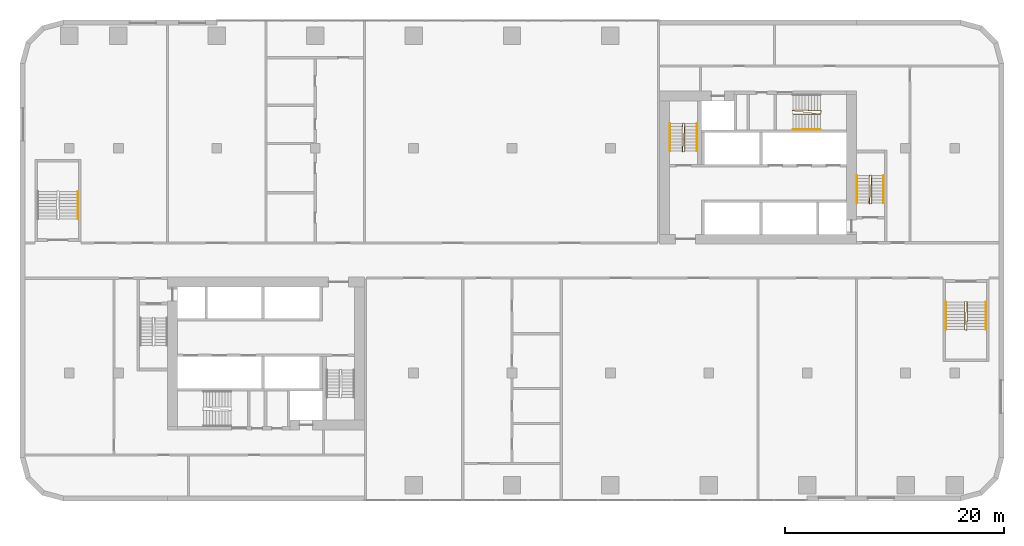
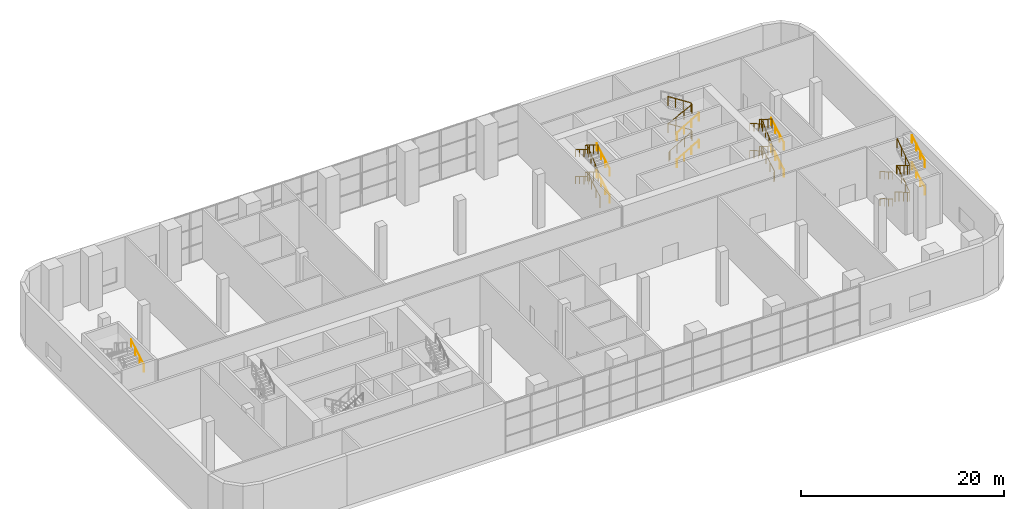
# One storey, part 23 of 24: 19 railings.
"""IFC4 building model written with IfcOpenShell, lengths in metres."""

from ifc_helpers import new_model, si_unit, direction, frame, origin, origin_2d, place, context, subcontext, project, spatial, circle, extrude, material, type_object, element, save


model = new_model("IFC4")

# Units and contexts
model_context = context("Model", 3, precision=1e-05, world=origin(), true_north=direction((0.0, 1.0)))
body_context = subcontext(model_context, "Body", "Model", "MODEL_VIEW")
ifc_project = project(units=[si_unit("LENGTHUNIT", "METRE"), si_unit("AREAUNIT", "SQUARE_METRE"), si_unit("VOLUMEUNIT", "CUBIC_METRE"), si_unit("PLANEANGLEUNIT", "RADIAN"), si_unit("MASSUNIT", "GRAM", prefix="KILO")], contexts=[model_context])

# Site, building, storey
site_placement = place(None, origin())
site = spatial("IfcSite", under=ifc_project, at=site_placement, CompositionType="ELEMENT")
building_placement = place(site_placement, origin())
building = spatial("IfcBuilding", under=site, at=building_placement, Name="Kajstack Hotel Tower", CompositionType="ELEMENT")
storey_placement = place(building_placement, frame((0.0, 0.0, 17.0)))
storey = spatial("IfcBuildingStorey", under=building, at=storey_placement, Name="L02", CompositionType="ELEMENT", Elevation=17.0)

# Railings
ifc_material = material(Name="Steel S355J2", Category="steel")
railing_type_1 = type_object("IfcRailingType", Name="Stair guard 1100", PredefinedType="GUARDRAIL", material=ifc_material)
railing_1_placement = place(storey_placement, frame((32.85009765625, 5.199951171875, 0.0)))
element("IfcRailing", 1, at=railing_1_placement, inside=storey, type_object=railing_type_1, Name="L02 E1 stair guard 1", PredefinedType="GUARDRAIL", context=body_context, shape_type="SweptSolid", body=[
    extrude(circle(Radius=0.02392578125, at=origin_2d()), frame((0.0, 0.0, 1.076171875), z_axis=(0.280959487676, 0.282336740067, 0.917250092119), x_axis=(-0.708833529934, 0.705375805398, 0.0)), (0.0, 0.0, 1.0), 0.17724609375),
    extrude(circle(Radius=0.02392578125, at=origin_2d()), frame((0.0498046875, 0.050048828125, 1.23876953125), z_axis=(0.0, 0.864913338283, 0.50192122615), x_axis=(-1.0, 0.0, 0.0)), (0.0, 0.0, 1.0), 2.91357421875),
    extrude(circle(Radius=0.02392578125, at=origin_2d()), frame((0.0498046875, 2.570068359375, 2.701171875), z_axis=(-0.970072785993, 0.242814311512, 0.0), x_axis=(-0.242814311512, -0.970072785993, 0.0)), (0.0, 0.0, 1.0), 0.2060546875),
    extrude(circle(Radius=0.02392578125, at=origin_2d()), frame((-0.150146484375, 2.6201171875, 2.701171875), z_axis=(-0.016457393398, -0.845107220968, 0.534343465638), x_axis=(0.999810440751, -0.019470042781, 0.0)), (0.0, 0.0, 1.0), 3.041015625),
    extrude(circle(Radius=0.02392578125, at=origin_2d()), frame((-0.2001953125, 0.050048828125, 4.326171875), z_axis=(0.707106781187, -0.707106781187, 0.0), x_axis=(0.707106781187, 0.707106781187, 0.0)), (0.0, 0.0, 1.0), 0.07080078125),
    extrude(circle(Radius=0.02392578125, at=origin_2d()), frame((-0.150146484375, 0.0, 4.326171875), z_axis=(0.065616484966, 0.843400167566, 0.533264131787), x_axis=(-0.996987254287, 0.077565551559, 0.0)), (0.0, 0.0, 1.0), 3.04736328125),
    extrude(circle(Radius=0.02392578125, at=origin_2d()), frame((0.0498046875, 2.570068359375, 5.951171875), z_axis=(-0.970072785993, 0.242814311512, 0.0), x_axis=(-0.242814311512, -0.970072785993, 0.0)), (0.0, 0.0, 1.0), 0.2060546875),
    extrude(circle(Radius=0.02392578125, at=origin_2d()), frame((-0.150146484375, 2.6201171875, 5.951171875), z_axis=(-0.016457393398, -0.845107220968, 0.534343465638), x_axis=(0.999810440751, -0.019470042781, 0.0)), (0.0, 0.0, 1.0), 3.041015625),
    extrude(circle(Radius=0.02099609375, at=origin_2d()), origin(), (0.0, 0.0, 1.0), 1.052001953125),
    extrude(circle(Radius=0.02099609375, at=origin_2d()), frame((0.0498046875, 0.050048828125, 0.16259765625)), (0.0, 0.0, 1.0), 1.052001953125),
    extrude(circle(Radius=0.02099609375, at=origin_2d()), frame((0.0498046875, 0.89013671875, 0.650146484375)), (0.0, 0.0, 1.0), 1.052001953125),
    extrude(circle(Radius=0.02099609375, at=origin_2d()), frame((0.0498046875, 1.72998046875, 1.137451171875)), (0.0, 0.0, 1.0), 1.052001953125),
    extrude(circle(Radius=0.02099609375, at=origin_2d()), frame((0.0498046875, 2.570068359375, 1.625)), (0.0, 0.0, 1.0), 1.052001953125),
    extrude(circle(Radius=0.02099609375, at=origin_2d()), frame((-0.150146484375, 2.6201171875, 1.625)), (0.0, 0.0, 1.0), 1.052001953125),
    extrude(circle(Radius=0.02099609375, at=origin_2d()), frame((-0.166748046875, 1.763427734375, 2.166748046875)), (0.0, 0.0, 1.0), 1.052001953125),
    extrude(circle(Radius=0.02099609375, at=origin_2d()), frame((-0.18359375, 0.90673828125, 2.708251953125)), (0.0, 0.0, 1.0), 1.052001953125),
    extrude(circle(Radius=0.02099609375, at=origin_2d()), frame((-0.2001953125, 0.050048828125, 3.25)), (0.0, 0.0, 1.0), 1.052001953125),
    extrude(circle(Radius=0.02099609375, at=origin_2d()), frame((-0.150146484375, 0.0, 3.25)), (0.0, 0.0, 1.0), 1.052001953125),
    extrude(circle(Radius=0.02099609375, at=origin_2d()), frame((-0.08349609375, 0.856689453125, 3.791748046875)), (0.0, 0.0, 1.0), 1.052001953125),
    extrude(circle(Radius=0.02099609375, at=origin_2d()), frame((-0.016845703125, 1.71337890625, 4.333251953125)), (0.0, 0.0, 1.0), 1.052001953125),
    extrude(circle(Radius=0.02099609375, at=origin_2d()), frame((0.0498046875, 2.570068359375, 4.875)), (0.0, 0.0, 1.0), 1.052001953125),
    extrude(circle(Radius=0.02099609375, at=origin_2d()), frame((-0.150146484375, 2.6201171875, 4.875)), (0.0, 0.0, 1.0), 1.052001953125),
    extrude(circle(Radius=0.02099609375, at=origin_2d()), frame((-0.166748046875, 1.763427734375, 5.416748046875)), (0.0, 0.0, 1.0), 1.052001953125),
    extrude(circle(Radius=0.02099609375, at=origin_2d()), frame((-0.18359375, 0.90673828125, 5.958251953125)), (0.0, 0.0, 1.0), 1.052001953125),
    extrude(circle(Radius=0.02099609375, at=origin_2d()), frame((-0.2001953125, 0.050048828125, 6.5)), (0.0, 0.0, 1.0), 1.052001953125),
])
railing_2_placement = place(storey_placement, frame((15.75, 9.949951171875, 0.0)))
element("IfcRailing", 2, at=railing_2_placement, inside=storey, type_object=railing_type_1, Name="L02 E2 stair guard 1", PredefinedType="GUARDRAIL", context=body_context, shape_type="SweptSolid", body=[
    extrude(circle(Radius=0.02392578125, at=origin_2d()), frame((0.0, 0.0, 1.076171875), z_axis=(0.282227285176, 0.282227285176, 0.916894497205), x_axis=(-0.707106781187, 0.707106781187, 0.0)), (0.0, 0.0, 1.0), 0.17724609375),
    extrude(circle(Radius=0.02392578125, at=origin_2d()), frame((0.050048828125, 0.050048828125, 1.23876953125), z_axis=(0.0, 0.864913338283, 0.50192122615), x_axis=(-1.0, 0.0, 0.0)), (0.0, 0.0, 1.0), 2.91357421875),
    extrude(circle(Radius=0.02392578125, at=origin_2d()), frame((0.050048828125, 2.570068359375, 2.701171875), z_axis=(-0.970072785993, 0.242814311512, 0.0), x_axis=(-0.242814311512, -0.970072785993, 0.0)), (0.0, 0.0, 1.0), 0.2060546875),
    extrude(circle(Radius=0.02392578125, at=origin_2d()), frame((-0.14990234375, 2.6201171875, 2.701171875), z_axis=(-0.016457393398, -0.845107220968, 0.534343465638), x_axis=(0.999810440751, -0.019470042781, 0.0)), (0.0, 0.0, 1.0), 3.041015625),
    extrude(circle(Radius=0.02392578125, at=origin_2d()), frame((-0.199951171875, 0.050048828125, 4.326171875), z_axis=(0.707106781187, -0.707106781187, 0.0), x_axis=(0.707106781187, 0.707106781187, 0.0)), (0.0, 0.0, 1.0), 0.07080078125),
    extrude(circle(Radius=0.02392578125, at=origin_2d()), frame((-0.14990234375, 0.0, 4.326171875), z_axis=(0.065616484966, 0.843400167566, 0.533264131787), x_axis=(-0.996987254287, 0.077565551559, 0.0)), (0.0, 0.0, 1.0), 3.04736328125),
    extrude(circle(Radius=0.02392578125, at=origin_2d()), frame((0.050048828125, 2.570068359375, 5.951171875), z_axis=(-0.970072785993, 0.242814311512, 0.0), x_axis=(-0.242814311512, -0.970072785993, 0.0)), (0.0, 0.0, 1.0), 0.2060546875),
    extrude(circle(Radius=0.02392578125, at=origin_2d()), frame((-0.14990234375, 2.6201171875, 5.951171875), z_axis=(-0.016457393398, -0.845107220968, 0.534343465638), x_axis=(0.999810440751, -0.019470042781, 0.0)), (0.0, 0.0, 1.0), 3.041015625),
    extrude(circle(Radius=0.02099609375, at=origin_2d()), origin(), (0.0, 0.0, 1.0), 1.052001953125),
    extrude(circle(Radius=0.02099609375, at=origin_2d()), frame((0.050048828125, 0.050048828125, 0.16259765625)), (0.0, 0.0, 1.0), 1.052001953125),
    extrude(circle(Radius=0.02099609375, at=origin_2d()), frame((0.050048828125, 0.89013671875, 0.650146484375)), (0.0, 0.0, 1.0), 1.052001953125),
    extrude(circle(Radius=0.02099609375, at=origin_2d()), frame((0.050048828125, 1.72998046875, 1.137451171875)), (0.0, 0.0, 1.0), 1.052001953125),
    extrude(circle(Radius=0.02099609375, at=origin_2d()), frame((0.050048828125, 2.570068359375, 1.625)), (0.0, 0.0, 1.0), 1.052001953125),
    extrude(circle(Radius=0.02099609375, at=origin_2d()), frame((-0.14990234375, 2.6201171875, 1.625)), (0.0, 0.0, 1.0), 1.052001953125),
    extrude(circle(Radius=0.02099609375, at=origin_2d()), frame((-0.16650390625, 1.763427734375, 2.166748046875)), (0.0, 0.0, 1.0), 1.052001953125),
    extrude(circle(Radius=0.02099609375, at=origin_2d()), frame((-0.183349609375, 0.90673828125, 2.708251953125)), (0.0, 0.0, 1.0), 1.052001953125),
    extrude(circle(Radius=0.02099609375, at=origin_2d()), frame((-0.199951171875, 0.050048828125, 3.25)), (0.0, 0.0, 1.0), 1.052001953125),
    extrude(circle(Radius=0.02099609375, at=origin_2d()), frame((-0.14990234375, 0.0, 3.25)), (0.0, 0.0, 1.0), 1.052001953125),
    extrude(circle(Radius=0.02099609375, at=origin_2d()), frame((-0.083251953125, 0.856689453125, 3.791748046875)), (0.0, 0.0, 1.0), 1.052001953125),
    extrude(circle(Radius=0.02099609375, at=origin_2d()), frame((-0.0166015625, 1.71337890625, 4.333251953125)), (0.0, 0.0, 1.0), 1.052001953125),
    extrude(circle(Radius=0.02099609375, at=origin_2d()), frame((0.050048828125, 2.570068359375, 4.875)), (0.0, 0.0, 1.0), 1.052001953125),
    extrude(circle(Radius=0.02099609375, at=origin_2d()), frame((-0.14990234375, 2.6201171875, 4.875)), (0.0, 0.0, 1.0), 1.052001953125),
    extrude(circle(Radius=0.02099609375, at=origin_2d()), frame((-0.16650390625, 1.763427734375, 5.416748046875)), (0.0, 0.0, 1.0), 1.052001953125),
    extrude(circle(Radius=0.02099609375, at=origin_2d()), frame((-0.183349609375, 0.90673828125, 5.958251953125)), (0.0, 0.0, 1.0), 1.052001953125),
    extrude(circle(Radius=0.02099609375, at=origin_2d()), frame((-0.199951171875, 0.050048828125, 6.5)), (0.0, 0.0, 1.0), 1.052001953125),
])
railing_3_placement = place(storey_placement, frame((25.64990234375, 13.449951171875, 0.0)))
element("IfcRailing", 3, at=railing_3_placement, inside=storey, type_object=railing_type_1, Name="L02 E3 stair guard 1", PredefinedType="GUARDRAIL", context=body_context, shape_type="SweptSolid", body=[
    extrude(circle(Radius=0.02392578125, at=origin_2d()), frame((0.0, 0.0, 1.076171875), z_axis=(0.282227285176, -0.282227285176, 0.916894497205), x_axis=(0.707106781187, 0.707106781187, 0.0)), (0.0, 0.0, 1.0), 0.17724609375),
    extrude(circle(Radius=0.02392578125, at=origin_2d()), frame((0.050048828125, -0.050048828125, 1.23876953125), z_axis=(0.864913338283, 0.0, 0.50192122615), x_axis=(0.0, 1.0, 0.0)), (0.0, 0.0, 1.0), 2.91357421875),
    extrude(circle(Radius=0.02392578125, at=origin_2d()), frame((2.570068359375, -0.050048828125, 2.701171875), z_axis=(0.164529134168, 0.986372223864, 0.0), x_axis=(-0.986372223864, 0.164529134168, 0.0)), (0.0, 0.0, 1.0), 0.30419921875),
    extrude(circle(Radius=0.02392578125, at=origin_2d()), frame((2.6201171875, 0.25, 2.701171875), z_axis=(-0.845107220968, 0.016457393398, 0.534343465638), x_axis=(-0.019470042781, -0.999810440751, 0.0)), (0.0, 0.0, 1.0), 3.041015625),
    extrude(circle(Radius=0.02392578125, at=origin_2d()), frame((0.050048828125, 0.300048828125, 4.326171875), z_axis=(-0.707106781187, -0.707106781187, 0.0), x_axis=(0.707106781187, -0.707106781187, 0.0)), (0.0, 0.0, 1.0), 0.07080078125),
    extrude(circle(Radius=0.02392578125, at=origin_2d()), frame((0.0, 0.25, 4.326171875), z_axis=(0.841136438897, -0.098200501891, 0.53183282391), x_axis=(0.115959822279, 0.993253904909, 0.0)), (0.0, 0.0, 1.0), 3.055419921875),
    extrude(circle(Radius=0.02392578125, at=origin_2d()), frame((2.570068359375, -0.050048828125, 5.951171875), z_axis=(0.164529134168, 0.986372223864, 0.0), x_axis=(-0.986372223864, 0.164529134168, 0.0)), (0.0, 0.0, 1.0), 0.30419921875),
    extrude(circle(Radius=0.02392578125, at=origin_2d()), frame((2.6201171875, 0.25, 5.951171875), z_axis=(-0.845107220968, 0.016457393398, 0.534343465638), x_axis=(-0.019470042781, -0.999810440751, 0.0)), (0.0, 0.0, 1.0), 3.041015625),
    extrude(circle(Radius=0.02099609375, at=origin_2d()), origin(), (0.0, 0.0, 1.0), 1.052001953125),
    extrude(circle(Radius=0.02099609375, at=origin_2d()), frame((0.050048828125, -0.050048828125, 0.16259765625)), (0.0, 0.0, 1.0), 1.052001953125),
    extrude(circle(Radius=0.02099609375, at=origin_2d()), frame((0.89013671875, -0.050048828125, 0.650146484375)), (0.0, 0.0, 1.0), 1.052001953125),
    extrude(circle(Radius=0.02099609375, at=origin_2d()), frame((1.72998046875, -0.050048828125, 1.137451171875)), (0.0, 0.0, 1.0), 1.052001953125),
    extrude(circle(Radius=0.02099609375, at=origin_2d()), frame((2.570068359375, -0.050048828125, 1.625)), (0.0, 0.0, 1.0), 1.052001953125),
    extrude(circle(Radius=0.02099609375, at=origin_2d()), frame((2.6201171875, 0.25, 1.625)), (0.0, 0.0, 1.0), 1.052001953125),
    extrude(circle(Radius=0.02099609375, at=origin_2d()), frame((1.763427734375, 0.2666015625, 2.166748046875)), (0.0, 0.0, 1.0), 1.052001953125),
    extrude(circle(Radius=0.02099609375, at=origin_2d()), frame((0.90673828125, 0.283447265625, 2.708251953125)), (0.0, 0.0, 1.0), 1.052001953125),
    extrude(circle(Radius=0.02099609375, at=origin_2d()), frame((0.050048828125, 0.300048828125, 3.25)), (0.0, 0.0, 1.0), 1.052001953125),
    extrude(circle(Radius=0.02099609375, at=origin_2d()), frame((0.0, 0.25, 3.25)), (0.0, 0.0, 1.0), 1.052001953125),
    extrude(circle(Radius=0.02099609375, at=origin_2d()), frame((0.856689453125, 0.14990234375, 3.791748046875)), (0.0, 0.0, 1.0), 1.052001953125),
    extrude(circle(Radius=0.02099609375, at=origin_2d()), frame((1.71337890625, 0.050048828125, 4.333251953125)), (0.0, 0.0, 1.0), 1.052001953125),
    extrude(circle(Radius=0.02099609375, at=origin_2d()), frame((2.570068359375, -0.050048828125, 4.875)), (0.0, 0.0, 1.0), 1.052001953125),
    extrude(circle(Radius=0.02099609375, at=origin_2d()), frame((2.6201171875, 0.25, 4.875)), (0.0, 0.0, 1.0), 1.052001953125),
    extrude(circle(Radius=0.02099609375, at=origin_2d()), frame((1.763427734375, 0.2666015625, 5.416748046875)), (0.0, 0.0, 1.0), 1.052001953125),
    extrude(circle(Radius=0.02099609375, at=origin_2d()), frame((0.90673828125, 0.283447265625, 5.958251953125)), (0.0, 0.0, 1.0), 1.052001953125),
    extrude(circle(Radius=0.02099609375, at=origin_2d()), frame((0.050048828125, 0.300048828125, 6.5)), (0.0, 0.0, 1.0), 1.052001953125),
])
railing_4_placement = place(storey_placement, frame((41.449951171875, -3.75, 0.0)))
element("IfcRailing", 4, at=railing_4_placement, inside=storey, type_object=railing_type_1, Name="L02 P2 stair guard 1", PredefinedType="GUARDRAIL", context=body_context, shape_type="SweptSolid", body=[
    extrude(circle(Radius=0.02392578125, at=origin_2d()), frame((0.0, 0.0, 1.076171875), z_axis=(-0.282227285176, -0.282227285176, 0.916894497205), x_axis=(0.707106781187, -0.707106781187, 0.0)), (0.0, 0.0, 1.0), 0.17724609375),
    extrude(circle(Radius=0.02392578125, at=origin_2d()), frame((-0.050048828125, -0.050048828125, 1.23876953125), z_axis=(0.0, -0.864913338283, 0.50192122615), x_axis=(1.0, 0.0, 0.0)), (0.0, 0.0, 1.0), 2.91357421875),
    extrude(circle(Radius=0.02392578125, at=origin_2d()), frame((-0.050048828125, -2.570068359375, 2.701171875), z_axis=(0.970142500145, -0.242535625036, 0.0), x_axis=(0.242535625036, 0.970142500145, 0.0)), (0.0, 0.0, 1.0), 0.206298828125),
    extrude(circle(Radius=0.02392578125, at=origin_2d()), frame((0.150146484375, -2.6201171875, 2.701171875), z_axis=(0.016377135015, 0.845108334802, 0.534344169891), x_axis=(-0.999812285079, 0.019375102703, 0.0)), (0.0, 0.0, 1.0), 3.041015625),
    extrude(circle(Radius=0.02392578125, at=origin_2d()), frame((0.199951171875, -0.050048828125, 4.326171875), z_axis=(-0.705375805398, 0.708833529934, 0.0), x_axis=(-0.708833529934, -0.705375805398, 0.0)), (0.0, 0.0, 1.0), 0.070556640625),
    extrude(circle(Radius=0.02392578125, at=origin_2d()), frame((0.150146484375, 0.0, 4.326171875), z_axis=(-0.065696257196, -0.843395731098, 0.533261326702), x_axis=(0.996979925979, -0.077659688354, 0.0)), (0.0, 0.0, 1.0), 3.04736328125),
    extrude(circle(Radius=0.02392578125, at=origin_2d()), frame((-0.050048828125, -2.570068359375, 5.951171875), z_axis=(0.970142500145, -0.242535625036, 0.0), x_axis=(0.242535625036, 0.970142500145, 0.0)), (0.0, 0.0, 1.0), 0.206298828125),
    extrude(circle(Radius=0.02392578125, at=origin_2d()), frame((0.150146484375, -2.6201171875, 5.951171875), z_axis=(0.016377135015, 0.845108334802, 0.534344169891), x_axis=(-0.999812285079, 0.019375102703, 0.0)), (0.0, 0.0, 1.0), 3.041015625),
    extrude(circle(Radius=0.02099609375, at=origin_2d()), origin(), (0.0, 0.0, 1.0), 1.052001953125),
    extrude(circle(Radius=0.02099609375, at=origin_2d()), frame((-0.050048828125, -0.050048828125, 0.16259765625)), (0.0, 0.0, 1.0), 1.052001953125),
    extrude(circle(Radius=0.02099609375, at=origin_2d()), frame((-0.050048828125, -0.89013671875, 0.650146484375)), (0.0, 0.0, 1.0), 1.052001953125),
    extrude(circle(Radius=0.02099609375, at=origin_2d()), frame((-0.050048828125, -1.72998046875, 1.137451171875)), (0.0, 0.0, 1.0), 1.052001953125),
    extrude(circle(Radius=0.02099609375, at=origin_2d()), frame((-0.050048828125, -2.570068359375, 1.625)), (0.0, 0.0, 1.0), 1.052001953125),
    extrude(circle(Radius=0.02099609375, at=origin_2d()), frame((0.150146484375, -2.6201171875, 1.625)), (0.0, 0.0, 1.0), 1.052001953125),
    extrude(circle(Radius=0.02099609375, at=origin_2d()), frame((0.166748046875, -1.763427734375, 2.166748046875)), (0.0, 0.0, 1.0), 1.052001953125),
    extrude(circle(Radius=0.02099609375, at=origin_2d()), frame((0.183349609375, -0.90673828125, 2.708251953125)), (0.0, 0.0, 1.0), 1.052001953125),
    extrude(circle(Radius=0.02099609375, at=origin_2d()), frame((0.199951171875, -0.050048828125, 3.25)), (0.0, 0.0, 1.0), 1.052001953125),
    extrude(circle(Radius=0.02099609375, at=origin_2d()), frame((0.150146484375, 0.0, 3.25)), (0.0, 0.0, 1.0), 1.052001953125),
    extrude(circle(Radius=0.02099609375, at=origin_2d()), frame((0.08349609375, -0.856689453125, 3.791748046875)), (0.0, 0.0, 1.0), 1.052001953125),
    extrude(circle(Radius=0.02099609375, at=origin_2d()), frame((0.0166015625, -1.71337890625, 4.333251953125)), (0.0, 0.0, 1.0), 1.052001953125),
    extrude(circle(Radius=0.02099609375, at=origin_2d()), frame((-0.050048828125, -2.570068359375, 4.875)), (0.0, 0.0, 1.0), 1.052001953125),
    extrude(circle(Radius=0.02099609375, at=origin_2d()), frame((0.150146484375, -2.6201171875, 4.875)), (0.0, 0.0, 1.0), 1.052001953125),
    extrude(circle(Radius=0.02099609375, at=origin_2d()), frame((0.166748046875, -1.763427734375, 5.416748046875)), (0.0, 0.0, 1.0), 1.052001953125),
    extrude(circle(Radius=0.02099609375, at=origin_2d()), frame((0.183349609375, -0.90673828125, 5.958251953125)), (0.0, 0.0, 1.0), 1.052001953125),
    extrude(circle(Radius=0.02099609375, at=origin_2d()), frame((0.199951171875, -0.050048828125, 6.5)), (0.0, 0.0, 1.0), 1.052001953125),
])
railing_type_2 = type_object("IfcRailingType", Name="Stair handrail 900", PredefinedType="HANDRAIL", material=ifc_material)
railing_5_placement = place(storey_placement, frame((34.0, 5.25, 0.16259765625)))
element("IfcRailing", 5, at=railing_5_placement, inside=storey, type_object=railing_type_2, Name="L02 E1 stair handrail 1", PredefinedType="HANDRAIL", context=body_context, shape_type="SweptSolid", body=[
    extrude(circle(Radius=0.02392578125, at=origin_2d()), frame((0.0, 0.0, 0.8759765625), z_axis=(0.0, 0.864913338283, 0.50192122615), x_axis=(-1.0, 0.0, 0.0)), (0.0, 0.0, 1.0), 2.91357421875),
    extrude(circle(Radius=0.02099609375, at=origin_2d()), origin(), (0.0, 0.0, 1.0), 0.851806640625),
    extrude(circle(Radius=0.02099609375, at=origin_2d()), frame((0.0, 0.840087890625, 0.487548828125)), (0.0, 0.0, 1.0), 0.851806640625),
    extrude(circle(Radius=0.02099609375, at=origin_2d()), frame((0.0, 1.679931640625, 0.974853515625)), (0.0, 0.0, 1.0), 0.851806640625),
    extrude(circle(Radius=0.02099609375, at=origin_2d()), frame((0.0, 2.52001953125, 1.46240234375)), (0.0, 0.0, 1.0), 0.851806640625),
])
railing_6_placement = place(storey_placement, frame((31.550048828125, 7.77001953125, 1.78759765625)))
element("IfcRailing", 6, at=railing_6_placement, inside=storey, type_object=railing_type_2, Name="L02 E1 stair handrail 2", PredefinedType="HANDRAIL", context=body_context, shape_type="SweptSolid", body=[
    extrude(circle(Radius=0.02392578125, at=origin_2d()), frame((0.0, 0.0, 0.8759765625), z_axis=(0.0, -0.864913338283, 0.50192122615), x_axis=(1.0, 0.0, 0.0)), (0.0, 0.0, 1.0), 2.91357421875),
    extrude(circle(Radius=0.02099609375, at=origin_2d()), origin(), (0.0, 0.0, 1.0), 0.851806640625),
    extrude(circle(Radius=0.02099609375, at=origin_2d()), frame((0.0, -0.840087890625, 0.487548828125)), (0.0, 0.0, 1.0), 0.851806640625),
    extrude(circle(Radius=0.02099609375, at=origin_2d()), frame((0.0, -1.679931640625, 0.974853515625)), (0.0, 0.0, 1.0), 0.851806640625),
    extrude(circle(Radius=0.02099609375, at=origin_2d()), frame((0.0, -2.52001953125, 1.46240234375)), (0.0, 0.0, 1.0), 0.851806640625),
])
railing_7_placement = place(storey_placement, frame((34.0, 5.25, 3.41259765625)))
element("IfcRailing", 7, at=railing_7_placement, inside=storey, type_object=railing_type_2, Name="L02 E1 stair handrail 3", PredefinedType="HANDRAIL", context=body_context, shape_type="SweptSolid", body=[
    extrude(circle(Radius=0.02392578125, at=origin_2d()), frame((0.0, 0.0, 0.8759765625), z_axis=(0.0, 0.864913338283, 0.50192122615), x_axis=(-1.0, 0.0, 0.0)), (0.0, 0.0, 1.0), 2.91357421875),
    extrude(circle(Radius=0.02099609375, at=origin_2d()), origin(), (0.0, 0.0, 1.0), 0.851806640625),
    extrude(circle(Radius=0.02099609375, at=origin_2d()), frame((0.0, 0.840087890625, 0.487548828125)), (0.0, 0.0, 1.0), 0.851806640625),
    extrude(circle(Radius=0.02099609375, at=origin_2d()), frame((0.0, 1.679931640625, 0.974853515625)), (0.0, 0.0, 1.0), 0.851806640625),
    extrude(circle(Radius=0.02099609375, at=origin_2d()), frame((0.0, 2.52001953125, 1.46240234375)), (0.0, 0.0, 1.0), 0.851806640625),
])
railing_8_placement = place(storey_placement, frame((31.550048828125, 7.77001953125, 5.03759765625)))
element("IfcRailing", 8, at=railing_8_placement, inside=storey, type_object=railing_type_2, Name="L02 E1 stair handrail 4", PredefinedType="HANDRAIL", context=body_context, shape_type="SweptSolid", body=[
    extrude(circle(Radius=0.02392578125, at=origin_2d()), frame((0.0, 0.0, 0.8759765625), z_axis=(0.0, -0.864913338283, 0.50192122615), x_axis=(1.0, 0.0, 0.0)), (0.0, 0.0, 1.0), 2.91357421875),
    extrude(circle(Radius=0.02099609375, at=origin_2d()), origin(), (0.0, 0.0, 1.0), 0.851806640625),
    extrude(circle(Radius=0.02099609375, at=origin_2d()), frame((0.0, -0.840087890625, 0.487548828125)), (0.0, 0.0, 1.0), 0.851806640625),
    extrude(circle(Radius=0.02099609375, at=origin_2d()), frame((0.0, -1.679931640625, 0.974853515625)), (0.0, 0.0, 1.0), 0.851806640625),
    extrude(circle(Radius=0.02099609375, at=origin_2d()), frame((0.0, -2.52001953125, 1.46240234375)), (0.0, 0.0, 1.0), 0.851806640625),
])
railing_9_placement = place(storey_placement, frame((16.89990234375, 10.0, 0.16259765625)))
element("IfcRailing", 9, at=railing_9_placement, inside=storey, type_object=railing_type_2, Name="L02 E2 stair handrail 1", PredefinedType="HANDRAIL", context=body_context, shape_type="SweptSolid", body=[
    extrude(circle(Radius=0.02392578125, at=origin_2d()), frame((0.0, 0.0, 0.8759765625), z_axis=(0.0, 0.864913338283, 0.50192122615), x_axis=(-1.0, 0.0, 0.0)), (0.0, 0.0, 1.0), 2.91357421875),
    extrude(circle(Radius=0.02099609375, at=origin_2d()), origin(), (0.0, 0.0, 1.0), 0.851806640625),
    extrude(circle(Radius=0.02099609375, at=origin_2d()), frame((0.0, 0.840087890625, 0.487548828125)), (0.0, 0.0, 1.0), 0.851806640625),
    extrude(circle(Radius=0.02099609375, at=origin_2d()), frame((0.0, 1.679931640625, 0.974853515625)), (0.0, 0.0, 1.0), 0.851806640625),
    extrude(circle(Radius=0.02099609375, at=origin_2d()), frame((0.0, 2.52001953125, 1.46240234375)), (0.0, 0.0, 1.0), 0.851806640625),
])
railing_10_placement = place(storey_placement, frame((14.449951171875, 12.52001953125, 1.78759765625)))
element("IfcRailing", 10, at=railing_10_placement, inside=storey, type_object=railing_type_2, Name="L02 E2 stair handrail 2", PredefinedType="HANDRAIL", context=body_context, shape_type="SweptSolid", body=[
    extrude(circle(Radius=0.02392578125, at=origin_2d()), frame((0.0, 0.0, 0.8759765625), z_axis=(0.0, -0.864913338283, 0.50192122615), x_axis=(1.0, 0.0, 0.0)), (0.0, 0.0, 1.0), 2.91357421875),
    extrude(circle(Radius=0.02099609375, at=origin_2d()), origin(), (0.0, 0.0, 1.0), 0.851806640625),
    extrude(circle(Radius=0.02099609375, at=origin_2d()), frame((0.0, -0.840087890625, 0.487548828125)), (0.0, 0.0, 1.0), 0.851806640625),
    extrude(circle(Radius=0.02099609375, at=origin_2d()), frame((0.0, -1.679931640625, 0.974853515625)), (0.0, 0.0, 1.0), 0.851806640625),
    extrude(circle(Radius=0.02099609375, at=origin_2d()), frame((0.0, -2.52001953125, 1.46240234375)), (0.0, 0.0, 1.0), 0.851806640625),
])
railing_11_placement = place(storey_placement, frame((16.89990234375, 10.0, 3.41259765625)))
element("IfcRailing", 11, at=railing_11_placement, inside=storey, type_object=railing_type_2, Name="L02 E2 stair handrail 3", PredefinedType="HANDRAIL", context=body_context, shape_type="SweptSolid", body=[
    extrude(circle(Radius=0.02392578125, at=origin_2d()), frame((0.0, 0.0, 0.8759765625), z_axis=(0.0, 0.864913338283, 0.50192122615), x_axis=(-1.0, 0.0, 0.0)), (0.0, 0.0, 1.0), 2.91357421875),
    extrude(circle(Radius=0.02099609375, at=origin_2d()), origin(), (0.0, 0.0, 1.0), 0.851806640625),
    extrude(circle(Radius=0.02099609375, at=origin_2d()), frame((0.0, 0.840087890625, 0.487548828125)), (0.0, 0.0, 1.0), 0.851806640625),
    extrude(circle(Radius=0.02099609375, at=origin_2d()), frame((0.0, 1.679931640625, 0.974853515625)), (0.0, 0.0, 1.0), 0.851806640625),
    extrude(circle(Radius=0.02099609375, at=origin_2d()), frame((0.0, 2.52001953125, 1.46240234375)), (0.0, 0.0, 1.0), 0.851806640625),
])
railing_12_placement = place(storey_placement, frame((14.449951171875, 12.52001953125, 5.03759765625)))
element("IfcRailing", 12, at=railing_12_placement, inside=storey, type_object=railing_type_2, Name="L02 E2 stair handrail 4", PredefinedType="HANDRAIL", context=body_context, shape_type="SweptSolid", body=[
    extrude(circle(Radius=0.02392578125, at=origin_2d()), frame((0.0, 0.0, 0.8759765625), z_axis=(0.0, -0.864913338283, 0.50192122615), x_axis=(1.0, 0.0, 0.0)), (0.0, 0.0, 1.0), 2.91357421875),
    extrude(circle(Radius=0.02099609375, at=origin_2d()), origin(), (0.0, 0.0, 1.0), 0.851806640625),
    extrude(circle(Radius=0.02099609375, at=origin_2d()), frame((0.0, -0.840087890625, 0.487548828125)), (0.0, 0.0, 1.0), 0.851806640625),
    extrude(circle(Radius=0.02099609375, at=origin_2d()), frame((0.0, -1.679931640625, 0.974853515625)), (0.0, 0.0, 1.0), 0.851806640625),
    extrude(circle(Radius=0.02099609375, at=origin_2d()), frame((0.0, -2.52001953125, 1.46240234375)), (0.0, 0.0, 1.0), 0.851806640625),
])
for number, where, name in (
    (13, (25.699951171875, 12.0, 0.16259765625), "L02 E3 stair handrail 1"),
    (14, (25.699951171875, 12.0, 3.41259765625), "L02 E3 stair handrail 3"),
):
    element("IfcRailing", number, at=place(storey_placement, frame(where)), inside=storey, type_object=railing_type_2, Name=name, PredefinedType="HANDRAIL", context=body_context, shape_type="SweptSolid", body=[
        extrude(circle(Radius=0.02392578125, at=origin_2d()), frame((0.0, 0.0, 0.8759765625), z_axis=(0.864913338283, 0.0, 0.50192122615), x_axis=(0.0, 1.0, 0.0)), (0.0, 0.0, 1.0), 2.91357421875),
        extrude(circle(Radius=0.02099609375, at=origin_2d()), origin(), (0.0, 0.0, 1.0), 0.851806640625),
        extrude(circle(Radius=0.02099609375, at=origin_2d()), frame((0.840087890625, 0.0, 0.487548828125)), (0.0, 0.0, 1.0), 0.851806640625),
        extrude(circle(Radius=0.02099609375, at=origin_2d()), frame((1.679931640625, 0.0, 0.974853515625)), (0.0, 0.0, 1.0), 0.851806640625),
        extrude(circle(Radius=0.02099609375, at=origin_2d()), frame((2.52001953125, 0.0, 1.46240234375)), (0.0, 0.0, 1.0), 0.851806640625),
    ])
railing_13_placement = place(storey_placement, frame((-39.699951171875, 3.800048828125, 3.41259765625)))
element("IfcRailing", 15, at=railing_13_placement, inside=storey, type_object=railing_type_2, Name="L02 P1 stair handrail 3", PredefinedType="HANDRAIL", context=body_context, shape_type="SweptSolid", body=[
    extrude(circle(Radius=0.02392578125, at=origin_2d()), frame((0.0, 0.0, 0.8759765625), z_axis=(0.0, 0.864913338283, 0.50192122615), x_axis=(-1.0, 0.0, 0.0)), (0.0, 0.0, 1.0), 2.91357421875),
    extrude(circle(Radius=0.02099609375, at=origin_2d()), origin(), (0.0, 0.0, 1.0), 0.851806640625),
    extrude(circle(Radius=0.02099609375, at=origin_2d()), frame((0.0, 0.840087890625, 0.487548828125)), (0.0, 0.0, 1.0), 0.851806640625),
    extrude(circle(Radius=0.02099609375, at=origin_2d()), frame((0.0, 1.679931640625, 0.974853515625)), (0.0, 0.0, 1.0), 0.851806640625),
    extrude(circle(Radius=0.02099609375, at=origin_2d()), frame((0.0, 2.52001953125, 1.46240234375)), (0.0, 0.0, 1.0), 0.851806640625),
])
railing_14_placement = place(storey_placement, frame((39.699951171875, -3.800048828125, 0.16259765625)))
element("IfcRailing", 16, at=railing_14_placement, inside=storey, type_object=railing_type_2, Name="L02 P2 stair handrail 1", PredefinedType="HANDRAIL", context=body_context, shape_type="SweptSolid", body=[
    extrude(circle(Radius=0.02392578125, at=origin_2d()), frame((0.0, 0.0, 0.8759765625), z_axis=(0.0, -0.864913338283, 0.50192122615), x_axis=(1.0, 0.0, 0.0)), (0.0, 0.0, 1.0), 2.91357421875),
    extrude(circle(Radius=0.02099609375, at=origin_2d()), origin(), (0.0, 0.0, 1.0), 0.851806640625),
    extrude(circle(Radius=0.02099609375, at=origin_2d()), frame((0.0, -0.840087890625, 0.487548828125)), (0.0, 0.0, 1.0), 0.851806640625),
    extrude(circle(Radius=0.02099609375, at=origin_2d()), frame((0.0, -1.679931640625, 0.974853515625)), (0.0, 0.0, 1.0), 0.851806640625),
    extrude(circle(Radius=0.02099609375, at=origin_2d()), frame((0.0, -2.52001953125, 1.46240234375)), (0.0, 0.0, 1.0), 0.851806640625),
])
railing_15_placement = place(storey_placement, frame((43.35009765625, -6.320068359375, 1.78759765625)))
element("IfcRailing", 17, at=railing_15_placement, inside=storey, type_object=railing_type_2, Name="L02 P2 stair handrail 2", PredefinedType="HANDRAIL", context=body_context, shape_type="SweptSolid", body=[
    extrude(circle(Radius=0.02392578125, at=origin_2d()), frame((0.0, 0.0, 0.8759765625), z_axis=(0.0, 0.864913338283, 0.50192122615), x_axis=(-1.0, 0.0, 0.0)), (0.0, 0.0, 1.0), 2.91357421875),
    extrude(circle(Radius=0.02099609375, at=origin_2d()), origin(), (0.0, 0.0, 1.0), 0.851806640625),
    extrude(circle(Radius=0.02099609375, at=origin_2d()), frame((0.0, 0.840087890625, 0.487548828125)), (0.0, 0.0, 1.0), 0.851806640625),
    extrude(circle(Radius=0.02099609375, at=origin_2d()), frame((0.0, 1.679931640625, 0.974853515625)), (0.0, 0.0, 1.0), 0.851806640625),
    extrude(circle(Radius=0.02099609375, at=origin_2d()), frame((0.0, 2.52001953125, 1.46240234375)), (0.0, 0.0, 1.0), 0.851806640625),
])
railing_16_placement = place(storey_placement, frame((39.699951171875, -3.800048828125, 3.41259765625)))
element("IfcRailing", 18, at=railing_16_placement, inside=storey, type_object=railing_type_2, Name="L02 P2 stair handrail 3", PredefinedType="HANDRAIL", context=body_context, shape_type="SweptSolid", body=[
    extrude(circle(Radius=0.02392578125, at=origin_2d()), frame((0.0, 0.0, 0.8759765625), z_axis=(0.0, -0.864913338283, 0.50192122615), x_axis=(1.0, 0.0, 0.0)), (0.0, 0.0, 1.0), 2.91357421875),
    extrude(circle(Radius=0.02099609375, at=origin_2d()), origin(), (0.0, 0.0, 1.0), 0.851806640625),
    extrude(circle(Radius=0.02099609375, at=origin_2d()), frame((0.0, -0.840087890625, 0.487548828125)), (0.0, 0.0, 1.0), 0.851806640625),
    extrude(circle(Radius=0.02099609375, at=origin_2d()), frame((0.0, -1.679931640625, 0.974853515625)), (0.0, 0.0, 1.0), 0.851806640625),
    extrude(circle(Radius=0.02099609375, at=origin_2d()), frame((0.0, -2.52001953125, 1.46240234375)), (0.0, 0.0, 1.0), 0.851806640625),
])
railing_17_placement = place(storey_placement, frame((43.35009765625, -6.320068359375, 5.03759765625)))
element("IfcRailing", 19, at=railing_17_placement, inside=storey, type_object=railing_type_2, Name="L02 P2 stair handrail 4", PredefinedType="HANDRAIL", context=body_context, shape_type="SweptSolid", body=[
    extrude(circle(Radius=0.02392578125, at=origin_2d()), frame((0.0, 0.0, 0.8759765625), z_axis=(0.0, 0.864913338283, 0.50192122615), x_axis=(-1.0, 0.0, 0.0)), (0.0, 0.0, 1.0), 2.91357421875),
    extrude(circle(Radius=0.02099609375, at=origin_2d()), origin(), (0.0, 0.0, 1.0), 0.851806640625),
    extrude(circle(Radius=0.02099609375, at=origin_2d()), frame((0.0, 0.840087890625, 0.487548828125)), (0.0, 0.0, 1.0), 0.851806640625),
    extrude(circle(Radius=0.02099609375, at=origin_2d()), frame((0.0, 1.679931640625, 0.974853515625)), (0.0, 0.0, 1.0), 0.851806640625),
    extrude(circle(Radius=0.02099609375, at=origin_2d()), frame((0.0, 2.52001953125, 1.46240234375)), (0.0, 0.0, 1.0), 0.851806640625),
])

save(model, "model.ifc")
